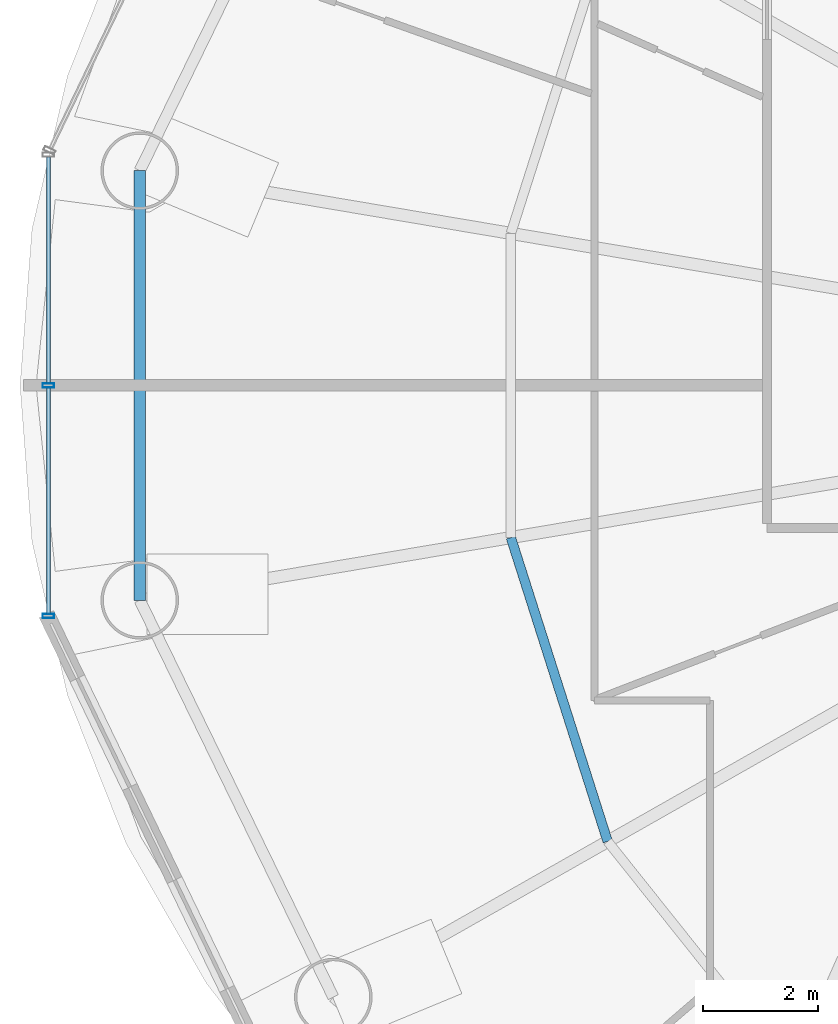
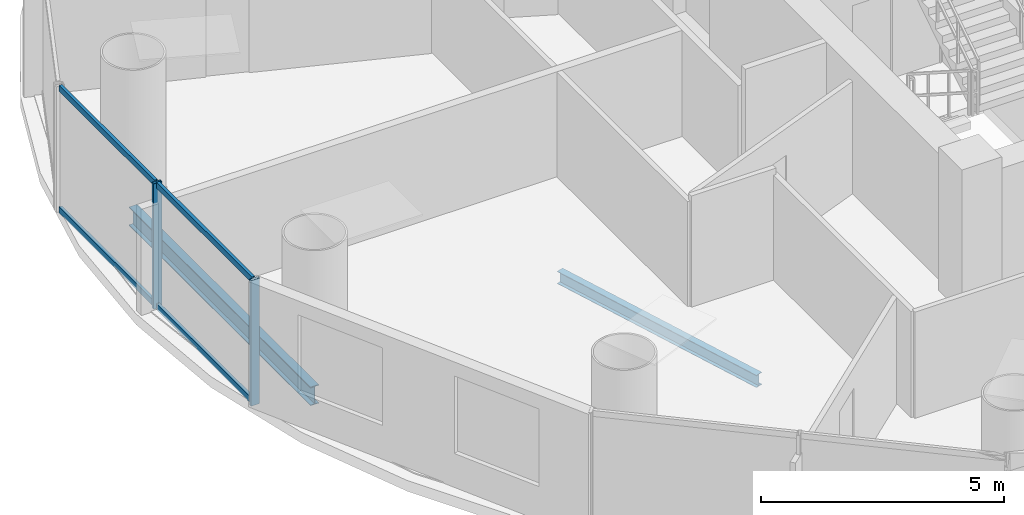
# One storey, part 6 of 26: 6 members, 2 beams, 1 element without a shape of its own.
"""IFC4 building model written with IfcOpenShell, lengths in metres."""

from ifc_helpers import new_model, si_unit, direction, frame, origin, origin_2d, place, context, subcontext, project, spatial, hollow_rectangle, i_section, extrude, source, transform, mapped, material, material_profile, profile_set, type_object, element, aggregate, save


model = new_model("IFC4")

# Units and contexts
model_context = context("Model", 3, precision=1e-05, world=origin(), true_north=direction((-0.2419218956, 0.970295726276)))
body_context = subcontext(model_context, "Body", "Model", "MODEL_VIEW")
ifc_project = project(units=[si_unit("LENGTHUNIT", "METRE"), si_unit("AREAUNIT", "SQUARE_METRE"), si_unit("VOLUMEUNIT", "CUBIC_METRE"), si_unit("PLANEANGLEUNIT", "RADIAN"), si_unit("MASSUNIT", "GRAM", prefix="KILO")], contexts=[model_context])

# Site, building, storey
site_placement = place(None, origin())
site = spatial("IfcSite", under=ifc_project, at=site_placement, CompositionType="ELEMENT")
building_placement = place(site_placement, origin())
building = spatial("IfcBuilding", under=site, at=building_placement, Name="Cobrevalo Terracotta Tower", CompositionType="ELEMENT")
storey_placement = place(building_placement, frame((0.0, 0.0, 182.199951171875)))
storey = spatial("IfcBuildingStorey", under=building, at=storey_placement, Name="L48", CompositionType="ELEMENT", Elevation=182.199951171875)

# Beams
ifc_material_1 = material(Name="Steel S355", Category="steel")
ifc_material_profile_1 = material_profile(ifc_material_1, i_section(OverallWidth=0.1650390625, OverallDepth=0.31005859375, WebThickness=0.005859375, FlangeThickness=0.009765625, at=origin_2d()), Name="W 310x38.7")
ifc_profile_set_1 = profile_set([ifc_material_profile_1], Name="Steel S355")
beam_type_1 = type_object("IfcBeamType", Name="Structural Joist W 310x38.7 (Steel S355)", PredefinedType="JOIST", material=ifc_profile_set_1)
beam_1_placement = place(storey_placement, frame((22.339111328125, 24.154541015625, -0.425048828125), z_axis=(0.303497928386, -0.952832098255, 0.0), x_axis=(0.952832098255, 0.303497928386, 0.0)))
element("IfcBeam", 1, at=beam_1_placement, inside=storey, type_object=beam_type_1, Name="L48 circumferential secondary floor joist 09", PredefinedType="JOIST", context=body_context, shape_type="SweptSolid", body=[
    extrude(i_section(OverallWidth=0.1650390625, OverallDepth=0.31005859375, WebThickness=0.005859375, FlangeThickness=0.009765625, at=origin_2d()), origin(), (0.0, 0.0, 1.0), 5.54736328125),
])
ifc_material_profile_2 = material_profile(ifc_material_1, i_section(OverallWidth=0.194091796875, OverallDepth=0.468994140625, WebThickness=0.011474609375, FlangeThickness=0.0205078125, at=origin_2d()), Name="W 460x106")
ifc_profile_set_2 = profile_set([ifc_material_profile_2], Name="Steel S355")
beam_type_2 = type_object("IfcBeamType", Name="Structural Spandrel W 460x106 (Steel S355)", PredefinedType="SPANDREL", material=ifc_profile_set_2)
beam_2_placement = place(storey_placement, frame((15.88330078125, 30.535888671875, -0.50439453125), z_axis=(0.0, -1.0, 0.0), x_axis=(1.0, 0.0, 0.0)))
element("IfcBeam", 2, at=beam_2_placement, inside=storey, type_object=beam_type_2, Name="L48 perimeter ring spandrel 08", PredefinedType="SPANDREL", context=body_context, shape_type="SweptSolid", body=[
    extrude(i_section(OverallWidth=0.194091796875, OverallDepth=0.468994140625, WebThickness=0.011474609375, FlangeThickness=0.0205078125, at=origin_2d()), origin(), (0.0, 0.0, 1.0), 7.471923828125),
])

# Curtain wall, members
ifc_material_2 = material(Name="Anodized aluminium", Category="aluminium")
curtain_wall_type = type_object("IfcCurtainWallType", Name="Mid-tower high-wind unitised curtain wall CW-U2", PredefinedType="NOTDEFINED", material=ifc_material_2)
curtain_wall_placement = place(storey_placement, origin())
curtain_wall = element("IfcCurtainWall", 3, at=curtain_wall_placement, inside=storey, type_object=curtain_wall_type, Name="L48 curtain wall CW-L48-S08", PredefinedType="NOTDEFINED")
ifc_material_profile_3 = material_profile(ifc_material_2, hollow_rectangle(XDim=0.074951171875, YDim=0.14990234375, WallThickness=0.00439453125, at=origin_2d()), Name="CWT 75x150")
ifc_profile_set_3 = profile_set([ifc_material_profile_3], Name="Anodized aluminium")
member_type_1 = type_object("IfcMemberType", Name="Tower unitised aluminium transom 75x150", PredefinedType="USERDEFINED", material=ifc_profile_set_3)
shared_shape_1 = source(origin(), body_context, "Body", "SweptSolid", [
    extrude(hollow_rectangle(XDim=0.074951171875, YDim=0.14990234375, WallThickness=0.00439453125, at=origin_2d()), origin(), (0.0, 0.0, 1.0), 3.931884765625),
])
member_1_placement = place(storey_placement, frame((14.29443359375, 30.77197265625, 0.050048828125), z_axis=(0.0, -1.0, 0.0), x_axis=(1.0, 0.0, 0.0)))
member_1 = element("IfcMember", 4, at=member_1_placement, type_object=member_type_1, Name="CW-L48-S08 transom B01-T1", ObjectType="TRANSOM", PredefinedType="USERDEFINED", context=body_context, shape_type="MappedRepresentation", body=[
    mapped(shared_shape_1, transform((0.0, 0.0, 0.0), scale=1.0)),
])
member_2_placement = place(storey_placement, frame((14.29443359375, 30.77197265625, 3.10009765625), z_axis=(0.0, -1.0, 0.0), x_axis=(1.0, 0.0, 0.0)))
member_2 = element("IfcMember", 5, at=member_2_placement, type_object=member_type_1, Name="CW-L48-S08 transom B01-T2", ObjectType="TRANSOM", PredefinedType="USERDEFINED", context=body_context, shape_type="MappedRepresentation", body=[
    mapped(shared_shape_1, transform((0.0, 0.0, 0.0), scale=1.0)),
])
shared_shape_2 = source(origin(), body_context, "Body", "SweptSolid", [
    extrude(hollow_rectangle(XDim=0.074951171875, YDim=0.14990234375, WallThickness=0.00439453125, at=origin_2d()), origin(), (0.0, 0.0, 1.0), 3.93212890625),
])
member_3_placement = place(storey_placement, frame((14.29443359375, 26.760009765625, 0.050048828125), z_axis=(0.0, -1.0, 0.0), x_axis=(1.0, 0.0, 0.0)))
member_3 = element("IfcMember", 6, at=member_3_placement, type_object=member_type_1, Name="CW-L48-S08 transom B02-T1", ObjectType="TRANSOM", PredefinedType="USERDEFINED", context=body_context, shape_type="MappedRepresentation", body=[
    mapped(shared_shape_2, transform((0.0, 0.0, 0.0), scale=1.0)),
])
member_4_placement = place(storey_placement, frame((14.29443359375, 26.760009765625, 3.10009765625), z_axis=(0.0, -1.0, 0.0), x_axis=(1.0, 0.0, 0.0)))
member_4 = element("IfcMember", 7, at=member_4_placement, type_object=member_type_1, Name="CW-L48-S08 transom B02-T2", ObjectType="TRANSOM", PredefinedType="USERDEFINED", context=body_context, shape_type="MappedRepresentation", body=[
    mapped(shared_shape_2, transform((0.0, 0.0, 0.0), scale=1.0)),
])
ifc_material_profile_4 = material_profile(ifc_material_2, hollow_rectangle(XDim=0.074951171875, YDim=0.199951171875, WallThickness=0.0048828125, at=origin_2d()), Name="CWM 75x200")
ifc_profile_set_4 = profile_set([ifc_material_profile_4], Name="Anodized aluminium")
member_type_2 = type_object("IfcMemberType", Name="Lower/mid tower unitised mullion 75x200", PredefinedType="MULLION", material=ifc_profile_set_4)
shared_shape_3 = source(origin(), body_context, "Body", "SweptSolid", [
    extrude(hollow_rectangle(XDim=0.074951171875, YDim=0.199951171875, WallThickness=0.0048828125, at=origin_2d()), origin(), (0.0, 0.0, 1.0), 3.150146484375),
])
member_5_placement = place(storey_placement, frame((14.29443359375, 26.800048828125, 0.0), z_axis=(0.0, 0.0, 1.0), x_axis=(0.0, -1.0, 0.0)))
member_5 = element("IfcMember", 8, at=member_5_placement, type_object=member_type_2, Name="CW-L48-S08 vertical mullion 02", PredefinedType="MULLION", context=body_context, shape_type="MappedRepresentation", body=[
    mapped(shared_shape_3, transform((0.0, 0.0, 0.0), scale=1.0)),
])
member_6_placement = place(storey_placement, frame((14.29443359375, 22.7880859375, 0.0), z_axis=(0.0, 0.0, 1.0), x_axis=(0.0, -1.0, 0.0)))
member_6 = element("IfcMember", 9, at=member_6_placement, type_object=member_type_2, Name="CW-L48-S08 vertical mullion 03", PredefinedType="MULLION", context=body_context, shape_type="MappedRepresentation", body=[
    mapped(shared_shape_3, transform((0.0, 0.0, 0.0), scale=1.0)),
])
aggregate(curtain_wall, [member_5, member_6, member_1, member_2, member_3, member_4])

save(model, "model.ifc")
